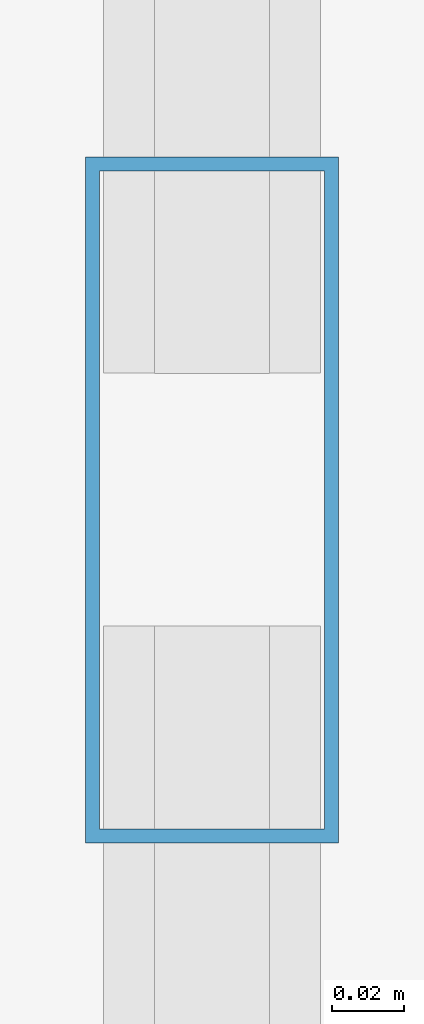
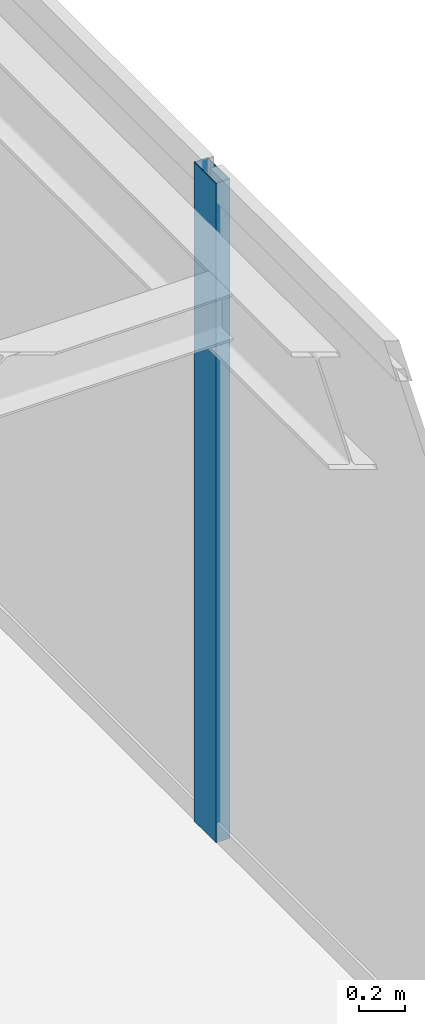
# One storey, part 20 of 33: 1 member, 1 element without a shape of its own.
"""IFC4 building model written with IfcOpenShell, lengths in metres."""

from ifc_helpers import new_model, si_unit, direction, frame, origin, origin_2d, place, context, subcontext, project, spatial, hollow_rectangle, extrude, source, transform, mapped, material, layer, layer_set, material_profile, profile_set, type_object, type_shapes, element, aggregate, save


model = new_model("IFC4")

# Units and contexts
model_context = context("Model", 3, precision=1e-05, world=origin(), true_north=direction((0.0, 1.0)))
body_context = subcontext(model_context, "Body", "Model", "MODEL_VIEW")
ifc_project = project(units=[si_unit("LENGTHUNIT", "METRE"), si_unit("AREAUNIT", "SQUARE_METRE"), si_unit("VOLUMEUNIT", "CUBIC_METRE"), si_unit("PLANEANGLEUNIT", "RADIAN"), si_unit("MASSUNIT", "GRAM", prefix="KILO")], contexts=[model_context])

# Site, building, storey
site_placement = place(None, origin())
site = spatial("IfcSite", under=ifc_project, at=site_placement, CompositionType="ELEMENT")
building_placement = place(site_placement, origin())
building = spatial("IfcBuilding", under=site, at=building_placement, Name="Varnel Quay Broadcast Tower", CompositionType="ELEMENT")
storey_placement = place(building_placement, frame((0.0, 0.0, 137.199951171875)))
storey = spatial("IfcBuildingStorey", under=building, at=storey_placement, Name="L33", CompositionType="ELEMENT", Elevation=137.199951171875)

# Curtain wall, member
ifc_material = material(Name="Anodised Bronze Aluminium 6063-T6", Category="aluminium")
ifc_layer = layer(ifc_material, 0.18994140625, Name="Anodised Bronze Aluminium 6063-T6")
ifc_layer_set = layer_set([ifc_layer], Name="Anodised Bronze Aluminium 6063-T6")
curtain_wall_type = type_object("IfcCurtainWallType", Name="CW_LowerTower", PredefinedType="NOTDEFINED", material=ifc_layer_set)
curtain_wall_placement = place(storey_placement, origin())
curtain_wall = element("IfcCurtainWall", 1, at=curtain_wall_placement, inside=storey, type_object=curtain_wall_type, Name="L33 East Unitised Curtain Wall", PredefinedType="NOTDEFINED")
ifc_material_profile = material_profile(ifc_material, hollow_rectangle(XDim=0.070068359375, YDim=0.18994140625, WallThickness=0.00390625, at=origin_2d()), Name="ALU70X190X4")
ifc_profile_set = profile_set([ifc_material_profile], Name="Anodised Bronze Aluminium 6063-T6")
member_type = type_object("IfcMemberType", Name="Mull_CWS-02", PredefinedType="MULLION", material=ifc_profile_set)
shared_shape = source(origin(), body_context, "Body", "SweptSolid", [
    extrude(hollow_rectangle(XDim=0.070068359375, YDim=0.18994140625, WallThickness=0.00390625, at=origin_2d()), origin(), (0.0, 0.0, 1.0), 3.47998046875),
])
type_shapes(member_type, [shared_shape])
member_placement = place(storey_placement, frame((63.35009765625, 31.39990234375, 0.0), z_axis=(0.0, 0.0, 1.0), x_axis=(-1.0, 0.0, 0.0)))
member = element("IfcMember", 2, at=member_placement, type_object=member_type, Name="CWS-02 mullion 3", PredefinedType="MULLION", context=body_context, shape_type="MappedRepresentation", body=[
    mapped(shared_shape, transform((0.0, 0.0, 0.0), x_axis=(1.0, 0.0, 0.0), y_axis=(0.0, 1.0, 0.0), z_axis=(0.0, 0.0, 1.0), scale=1.0)),
])
aggregate(curtain_wall, [member])

save(model, "model.ifc")
